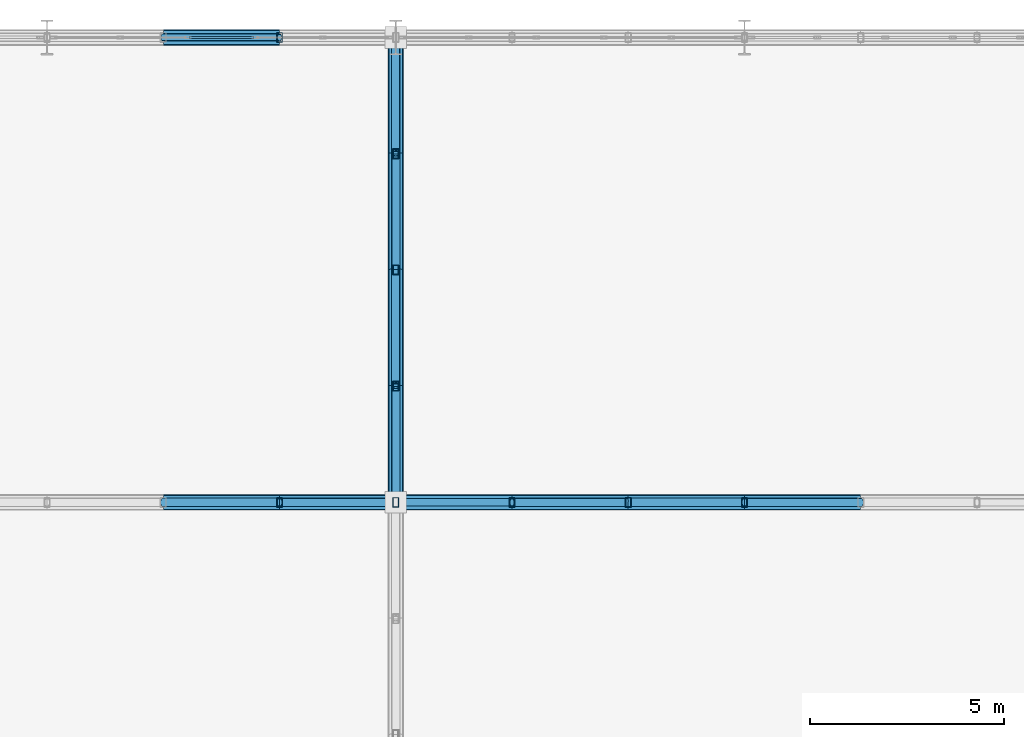
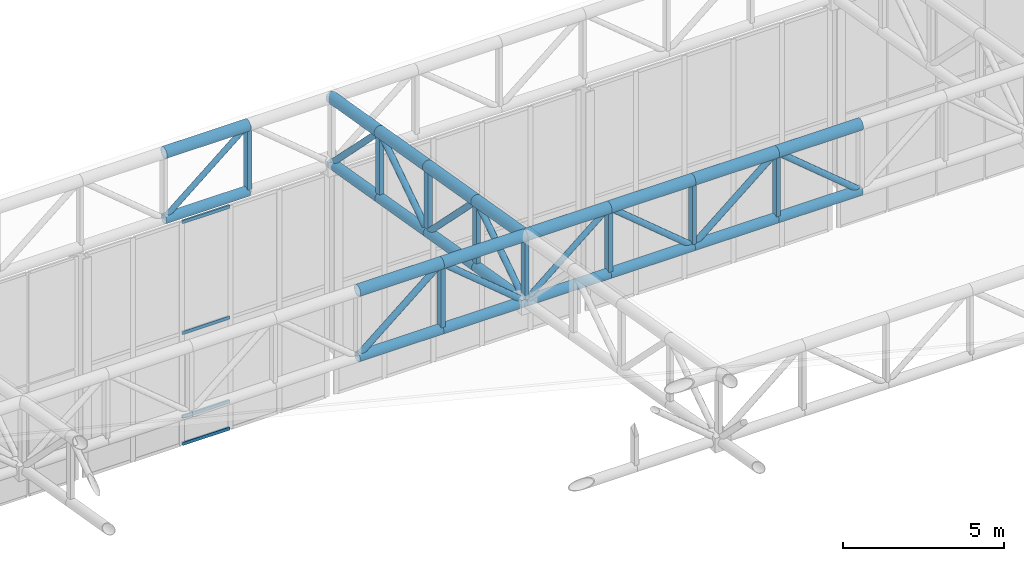
# One storey, part 108 of 239: 46 members, 1 element without a shape of its own.
"""IFC4 building model written with IfcOpenShell, lengths in metres."""

from ifc_helpers import new_model, si_unit, direction, frame, origin, origin_2d, place, context, subcontext, project, spatial, hollow_rectangle, hollow_circle, extrude, material, material_profile, profile_set, type_object, element, aggregate, save


model = new_model("IFC4")

# Units and contexts
model_context = context("Model", 3, precision=1e-05, world=origin(), true_north=direction((0.0, 1.0)))
body_context = subcontext(model_context, "Body", "Model", "MODEL_VIEW")
ifc_project = project(units=[si_unit("LENGTHUNIT", "METRE"), si_unit("AREAUNIT", "SQUARE_METRE"), si_unit("VOLUMEUNIT", "CUBIC_METRE"), si_unit("PLANEANGLEUNIT", "RADIAN"), si_unit("MASSUNIT", "GRAM", prefix="KILO")], contexts=[model_context])

# Site, building, storey
site_placement = place(None, origin())
site = spatial("IfcSite", under=ifc_project, at=site_placement, CompositionType="ELEMENT")
building_placement = place(site_placement, origin())
building = spatial("IfcBuilding", under=site, at=building_placement, Name="Kaldris Quays Convention Centre", CompositionType="ELEMENT")
storey_placement = place(building_placement, frame((0.0, 0.0, 11.39990234375)))
storey = spatial("IfcBuildingStorey", under=building, at=storey_placement, Name="L02", CompositionType="ELEMENT", Elevation=11.39990234375)

# Curtain wall, members
ifc_material_1 = material(Name="Anodized aluminium AW-6060 and triple glazing", Category="aluminium")
curtain_wall_type = type_object("IfcCurtainWallType", Name="UNITISED CURTAIN WALL CW03", PredefinedType="NOTDEFINED", material=ifc_material_1)
curtain_wall_placement = place(storey_placement, origin())
curtain_wall = element("IfcCurtainWall", 1, at=curtain_wall_placement, inside=storey, type_object=curtain_wall_type, Name="L02 Unitised Curtain Wall CW03 234", PredefinedType="NOTDEFINED")
ifc_material_2 = material(Name="Anodized aluminium AW-6060", Category="aluminium")
ifc_material_profile_1 = material_profile(ifc_material_2, hollow_rectangle(XDim=0.06005859375, YDim=0.1201171875, WallThickness=0.00390625, at=origin_2d()), Name="RHS 120x60x4")
ifc_profile_set_1 = profile_set([ifc_material_profile_1], Name="Anodized aluminium AW-6060")
member_type_1 = type_object("IfcMemberType", Name="CURTAIN TRANSOM CWT1", PredefinedType="USERDEFINED", material=ifc_profile_set_1)
member_1_placement = place(storey_placement, frame((50.657958984375, 140.0, -1.574951171875), z_axis=(1.0, 0.0, 0.0), x_axis=(0.0, 1.0, 0.0)))
member_1 = element("IfcMember", 2, at=member_1_placement, type_object=member_type_1, Name="CW03 transom 3.1", ObjectType="TRANSOM", PredefinedType="USERDEFINED", context=body_context, shape_type="SweptSolid", body=[
    extrude(hollow_rectangle(XDim=0.06005859375, YDim=0.1201171875, WallThickness=0.00390625, at=origin_2d()), origin(), (0.0, 0.0, 1.0), 1.68408203125),
])
member_2_placement = place(storey_placement, frame((50.657958984375, 140.0, -0.554931640625), z_axis=(1.0, 0.0, 0.0), x_axis=(0.0, 1.0, 0.0)))
member_2 = element("IfcMember", 3, at=member_2_placement, type_object=member_type_1, Name="CW03 transom 3.2", ObjectType="TRANSOM", PredefinedType="USERDEFINED", context=body_context, shape_type="SweptSolid", body=[
    extrude(hollow_rectangle(XDim=0.06005859375, YDim=0.1201171875, WallThickness=0.00390625, at=origin_2d()), origin(), (0.0, 0.0, 1.0), 1.68408203125),
])
member_3_placement = place(storey_placement, frame((50.657958984375, 140.0, 2.623046875), z_axis=(1.0, 0.0, 0.0), x_axis=(0.0, 1.0, 0.0)))
member_3 = element("IfcMember", 4, at=member_3_placement, type_object=member_type_1, Name="CW03 transom 3.3", ObjectType="TRANSOM", PredefinedType="USERDEFINED", context=body_context, shape_type="SweptSolid", body=[
    extrude(hollow_rectangle(XDim=0.06005859375, YDim=0.1201171875, WallThickness=0.00390625, at=origin_2d()), origin(), (0.0, 0.0, 1.0), 1.68408203125),
])
member_4_placement = place(storey_placement, frame((50.657958984375, 140.0, 6.820068359375), z_axis=(1.0, 0.0, 0.0), x_axis=(0.0, 1.0, 0.0)))
member_4 = element("IfcMember", 5, at=member_4_placement, type_object=member_type_1, Name="CW03 transom 3.4", ObjectType="TRANSOM", PredefinedType="USERDEFINED", context=body_context, shape_type="SweptSolid", body=[
    extrude(hollow_rectangle(XDim=0.06005859375, YDim=0.1201171875, WallThickness=0.00390625, at=origin_2d()), origin(), (0.0, 0.0, 1.0), 1.68408203125),
])
aggregate(curtain_wall, [member_1, member_2, member_3, member_4])

# Members
ifc_material_3 = material(Name="Steel S355J2H", Category="steel")
ifc_material_profile_2 = material_profile(ifc_material_3, hollow_circle(Radius=0.203125, WallThickness=0.01611328125, at=origin_2d()), Name="CHS 406.4x16")
ifc_profile_set_2 = profile_set([ifc_material_profile_2], Name="Steel S355J2H")
member_type_2 = type_object("IfcMemberType", Name="STRUCTURAL MEMBER SC01", PredefinedType="CHORD", material=ifc_profile_set_2)
for number, where, z_axis, x_axis, name in (
    (6, (50.0, 128.0, 11.72900390625), (1.0, 0.0, 0.0), (0.0, 1.0, 0.0), "SF-V1 Top Chord X 263"),
    (7, (53.0, 128.0, 11.72900390625), (1.0, 0.0, 0.0), (0.0, 1.0, 0.0), "SF-V1 Top Chord X 264"),
    (8, (56.0, 128.0, 11.72900390625), (1.0, 0.0, 0.0), (0.0, 1.0, 0.0), "SF-V1 Top Chord X 265"),
    (9, (59.0, 128.0, 11.72900390625), (1.0, 0.0, 0.0), (0.0, 1.0, 0.0), "SF-V1 Top Chord X 266"),
    (10, (62.0, 128.0, 11.72900390625), (1.0, 0.0, 0.0), (0.0, 1.0, 0.0), "SF-V1 Top Chord X 267"),
    (11, (65.0, 128.0, 11.72900390625), (1.0, 0.0, 0.0), (0.0, 1.0, 0.0), "SF-V1 Top Chord X 268"),
    (12, (50.0, 140.0, 9.671875), (1.0, 0.0, 0.0), (0.0, 1.0, 0.0), "SF-V1 Top Chord X 305"),
):
    element("IfcMember", number, at=place(storey_placement, frame(where, z_axis=z_axis, x_axis=x_axis)), inside=storey, type_object=member_type_2, Name=name, PredefinedType="CHORD", context=body_context, shape_type="SweptSolid", body=[
        extrude(hollow_circle(Radius=0.203125, WallThickness=0.01611328125, at=origin_2d()), origin(), (0.0, 0.0, 1.0), 3.0),
    ])
for number, where, z_axis, x_axis, name in (
    (13, (56.0, 128.0, 11.72900390625), (0.0, 0.98562912375, -0.168923741424), (-1.0, 0.0, 0.0), "SF-V1 Top Chord Y 417"),
    (14, (56.0, 131.0, 11.21484375), (0.0, 0.985615766076, -0.169001661712), (-1.0, 0.0, 0.0), "SF-V1 Top Chord Y 418"),
    (15, (56.0, 134.0, 10.700439453125), (0.0, 0.98562912375, -0.168923741424), (-1.0, 0.0, 0.0), "SF-V1 Top Chord Y 419"),
    (16, (56.0, 137.0, 10.186279296875), (0.0, 0.985615766076, -0.169001661712), (-1.0, 0.0, 0.0), "SF-V1 Top Chord Y 420"),
):
    element("IfcMember", number, at=place(storey_placement, frame(where, z_axis=z_axis, x_axis=x_axis)), inside=storey, type_object=member_type_2, Name=name, PredefinedType="CHORD", context=body_context, shape_type="SweptSolid", body=[
        extrude(hollow_circle(Radius=0.203125, WallThickness=0.01611328125, at=origin_2d()), origin(), (0.0, 0.0, 1.0), 3.043701171875),
    ])
ifc_material_profile_3 = material_profile(ifc_material_3, hollow_circle(Radius=0.177734375, WallThickness=0.01611328125, at=origin_2d()), Name="CHS 355.6x16")
ifc_profile_set_3 = profile_set([ifc_material_profile_3], Name="Steel S355J2H")
member_type_3 = type_object("IfcMemberType", Name="STRUCTURAL MEMBER SC02", PredefinedType="CHORD", material=ifc_profile_set_3)
for number, where, z_axis, x_axis, name in (
    (17, (50.0, 128.0, 9.22900390625), (1.0, 0.0, 0.0), (0.0, 1.0, 0.0), "SF-V1 Bottom Chord X 263"),
    (18, (53.0, 128.0, 9.22900390625), (1.0, 0.0, 0.0), (0.0, 1.0, 0.0), "SF-V1 Bottom Chord X 264"),
    (19, (56.0, 128.0, 9.22900390625), (1.0, 0.0, 0.0), (0.0, 1.0, 0.0), "SF-V1 Bottom Chord X 265"),
    (20, (59.0, 128.0, 9.22900390625), (1.0, 0.0, 0.0), (0.0, 1.0, 0.0), "SF-V1 Bottom Chord X 266"),
    (21, (62.0, 128.0, 9.22900390625), (1.0, 0.0, 0.0), (0.0, 1.0, 0.0), "SF-V1 Bottom Chord X 267"),
    (22, (65.0, 128.0, 9.22900390625), (1.0, 0.0, 0.0), (0.0, 1.0, 0.0), "SF-V1 Bottom Chord X 268"),
    (23, (50.0, 140.0, 7.171875), (1.0, 0.0, 0.0), (0.0, 1.0, 0.0), "SF-V1 Bottom Chord X 305"),
):
    element("IfcMember", number, at=place(storey_placement, frame(where, z_axis=z_axis, x_axis=x_axis)), inside=storey, type_object=member_type_3, Name=name, PredefinedType="CHORD", context=body_context, shape_type="SweptSolid", body=[
        extrude(hollow_circle(Radius=0.177734375, WallThickness=0.01611328125, at=origin_2d()), origin(), (0.0, 0.0, 1.0), 3.0),
    ])
for number, where, z_axis, x_axis, name in (
    (24, (56.0, 128.0, 9.22900390625), (0.0, 0.98562912375, -0.168923741424), (-1.0, 0.0, 0.0), "SF-V1 Bottom Chord Y 417"),
    (25, (56.0, 131.0, 8.71484375), (0.0, 0.985615766076, -0.169001661712), (-1.0, 0.0, 0.0), "SF-V1 Bottom Chord Y 418"),
    (26, (56.0, 134.0, 8.200439453125), (0.0, 0.98562912375, -0.168923741424), (-1.0, 0.0, 0.0), "SF-V1 Bottom Chord Y 419"),
    (27, (56.0, 137.0, 7.686279296875), (0.0, 0.985615766076, -0.169001661712), (-1.0, 0.0, 0.0), "SF-V1 Bottom Chord Y 420"),
):
    element("IfcMember", number, at=place(storey_placement, frame(where, z_axis=z_axis, x_axis=x_axis)), inside=storey, type_object=member_type_3, Name=name, PredefinedType="CHORD", context=body_context, shape_type="SweptSolid", body=[
        extrude(hollow_circle(Radius=0.177734375, WallThickness=0.01611328125, at=origin_2d()), origin(), (0.0, 0.0, 1.0), 3.043701171875),
    ])
ifc_material_profile_4 = material_profile(ifc_material_3, hollow_circle(Radius=0.109619140625, WallThickness=0.010009765625, at=origin_2d()), Name="CHS 219.1x10")
ifc_profile_set_4 = profile_set([ifc_material_profile_4], Name="Steel S355J2H")
member_type_4 = type_object("IfcMemberType", Name="STRUCTURAL MEMBER SWB1", PredefinedType="BRACE", material=ifc_profile_set_4)
for number, where, z_axis, x_axis, name in (
    (28, (50.0, 128.0, 9.22900390625), (0.768221279597, 0.0, 0.640184399664), (0.0, 1.0, 0.0), "SF-V1 Web Diagonal X 263"),
    (29, (56.0, 128.0, 9.22900390625), (-0.768221279597, 0.0, 0.640184399664), (0.0, -1.0, 0.0), "SF-V1 Web Diagonal X 264"),
    (30, (62.0, 128.0, 9.22900390625), (-0.768221279597, 0.0, 0.640184399664), (0.0, -1.0, 0.0), "SF-V1 Web Diagonal X 266"),
    (31, (62.0, 128.0, 9.22900390625), (0.768221279597, 0.0, 0.640184399664), (0.0, 1.0, 0.0), "SF-V1 Web Diagonal X 267"),
    (32, (68.0, 128.0, 9.22900390625), (-0.768221279597, 0.0, 0.640184399664), (0.0, -1.0, 0.0), "SF-V1 Web Diagonal X 268"),
):
    element("IfcMember", number, at=place(storey_placement, frame(where, z_axis=z_axis, x_axis=x_axis)), inside=storey, type_object=member_type_4, Name=name, PredefinedType="BRACE", context=body_context, shape_type="SweptSolid", body=[
        extrude(hollow_circle(Radius=0.109619140625, WallThickness=0.010009765625, at=origin_2d()), origin(), (0.0, 0.0, 1.0), 3.905029296875),
    ])
member_5_placement = place(storey_placement, frame((56.0, 128.0, 9.22900390625), z_axis=(0.0, 0.833862389808, 0.551972385962), x_axis=(-1.0, 0.0, 0.0)))
element("IfcMember", 33, at=member_5_placement, inside=storey, type_object=member_type_4, Name="SF-V1 Web Diagonal Y 417", PredefinedType="BRACE", context=body_context, shape_type="SweptSolid", body=[
    extrude(hollow_circle(Radius=0.109619140625, WallThickness=0.010009765625, at=origin_2d()), origin(), (0.0, 0.0, 1.0), 3.59765625),
])
member_6_placement = place(storey_placement, frame((56.0, 134.0, 8.200439453125), z_axis=(0.0, -0.705411261057, 0.708798245465), x_axis=(1.0, 0.0, 0.0)))
element("IfcMember", 34, at=member_6_placement, inside=storey, type_object=member_type_4, Name="SF-V1 Web Diagonal Y 418", PredefinedType="BRACE", context=body_context, shape_type="SweptSolid", body=[
    extrude(hollow_circle(Radius=0.109619140625, WallThickness=0.010009765625, at=origin_2d()), origin(), (0.0, 0.0, 1.0), 4.2529296875),
])
member_7_placement = place(storey_placement, frame((56.0, 134.0, 8.200439453125), z_axis=(0.0, 0.833862389808, 0.551972385962), x_axis=(-1.0, 0.0, 0.0)))
element("IfcMember", 35, at=member_7_placement, inside=storey, type_object=member_type_4, Name="SF-V1 Web Diagonal Y 419", PredefinedType="BRACE", context=body_context, shape_type="SweptSolid", body=[
    extrude(hollow_circle(Radius=0.109619140625, WallThickness=0.010009765625, at=origin_2d()), origin(), (0.0, 0.0, 1.0), 3.59765625),
])
member_8_placement = place(storey_placement, frame((56.0, 140.0, 7.171875), z_axis=(0.0, -0.705411261057, 0.708798245465), x_axis=(1.0, 0.0, 0.0)))
element("IfcMember", 36, at=member_8_placement, inside=storey, type_object=member_type_4, Name="SF-V1 Web Diagonal Y 420", PredefinedType="BRACE", context=body_context, shape_type="SweptSolid", body=[
    extrude(hollow_circle(Radius=0.109619140625, WallThickness=0.010009765625, at=origin_2d()), origin(), (0.0, 0.0, 1.0), 4.2529296875),
])
ifc_material_profile_5 = material_profile(ifc_material_3, hollow_circle(Radius=0.096923828125, WallThickness=0.008056640625, at=origin_2d()), Name="CHS 193.7x8")
ifc_profile_set_5 = profile_set([ifc_material_profile_5], Name="Steel S355J2H")
member_type_5 = type_object("IfcMemberType", Name="STRUCTURAL MEMBER SWB3", PredefinedType="BRACE", material=ifc_profile_set_5)
for number, where, z_axis, x_axis, name in (
    (37, (56.0, 128.0, 9.22900390625), (0.768221279597, 0.0, 0.640184399664), (0.0, 1.0, 0.0), "SF-V1 Web Diagonal X 265"),
    (38, (50.0, 140.0, 7.171875), (0.768221279597, 0.0, 0.640184399664), (0.0, 1.0, 0.0), "SF-V1 Web Diagonal X 305"),
):
    element("IfcMember", number, at=place(storey_placement, frame(where, z_axis=z_axis, x_axis=x_axis)), inside=storey, type_object=member_type_5, Name=name, PredefinedType="BRACE", context=body_context, shape_type="SweptSolid", body=[
        extrude(hollow_circle(Radius=0.096923828125, WallThickness=0.008056640625, at=origin_2d()), origin(), (0.0, 0.0, 1.0), 3.905029296875),
    ])
ifc_material_profile_6 = material_profile(ifc_material_3, hollow_rectangle(XDim=0.14990234375, YDim=0.25, WallThickness=0.010009765625, at=origin_2d()), Name="RHS 250x150x10")
ifc_profile_set_6 = profile_set([ifc_material_profile_6], Name="Steel S355J2H")
member_type_6 = type_object("IfcMemberType", Name="STRUCTURAL MEMBER TTV1", PredefinedType="POST", material=ifc_profile_set_6)
for number, where, z_axis, x_axis, name in (
    (39, (53.0, 128.0, 9.22900390625), (0.0, 0.0, 1.0), (1.0, 0.0, 0.0), "SF-V1 Space-Frame Post 137"),
    (40, (53.0, 140.0, 7.171875), (0.0, 0.0, 1.0), (1.0, 0.0, 0.0), "SF-V1 Space-Frame Post 138"),
    (41, (56.0, 128.0, 9.22900390625), (0.0, 0.0, 1.0), (1.0, 0.0, 0.0), "SF-V1 Space-Frame Post 163"),
    (42, (56.0, 131.0, 8.71484375), (0.0, 0.0, 1.0), (1.0, 0.0, 0.0), "SF-V1 Space-Frame Post 164"),
    (43, (56.0, 134.0, 8.200439453125), (0.0, 0.0, 1.0), (1.0, 0.0, 0.0), "SF-V1 Space-Frame Post 165"),
    (44, (56.0, 137.0, 7.686279296875), (0.0, 0.0, 1.0), (1.0, 0.0, 0.0), "SF-V1 Space-Frame Post 166"),
    (45, (59.0, 128.0, 9.22900390625), (0.0, 0.0, 1.0), (1.0, 0.0, 0.0), "SF-V1 Space-Frame Post 174"),
    (46, (62.0, 128.0, 9.22900390625), (0.0, 0.0, 1.0), (1.0, 0.0, 0.0), "SF-V1 Space-Frame Post 182"),
    (47, (65.0, 128.0, 9.22900390625), (0.0, 0.0, 1.0), (1.0, 0.0, 0.0), "SF-V1 Space-Frame Post 190"),
):
    element("IfcMember", number, at=place(storey_placement, frame(where, z_axis=z_axis, x_axis=x_axis)), inside=storey, type_object=member_type_6, Name=name, PredefinedType="POST", context=body_context, shape_type="SweptSolid", body=[
        extrude(hollow_rectangle(XDim=0.14990234375, YDim=0.25, WallThickness=0.010009765625, at=origin_2d()), origin(), (0.0, 0.0, 1.0), 2.5),
    ])

save(model, "model.ifc")
